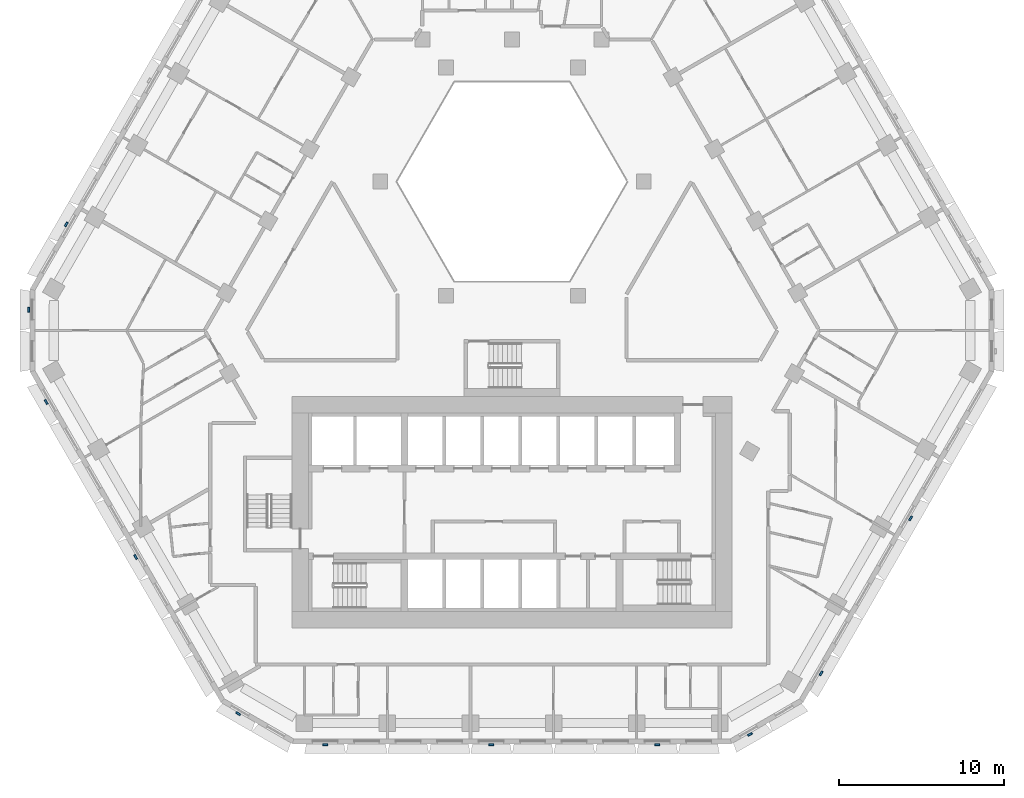
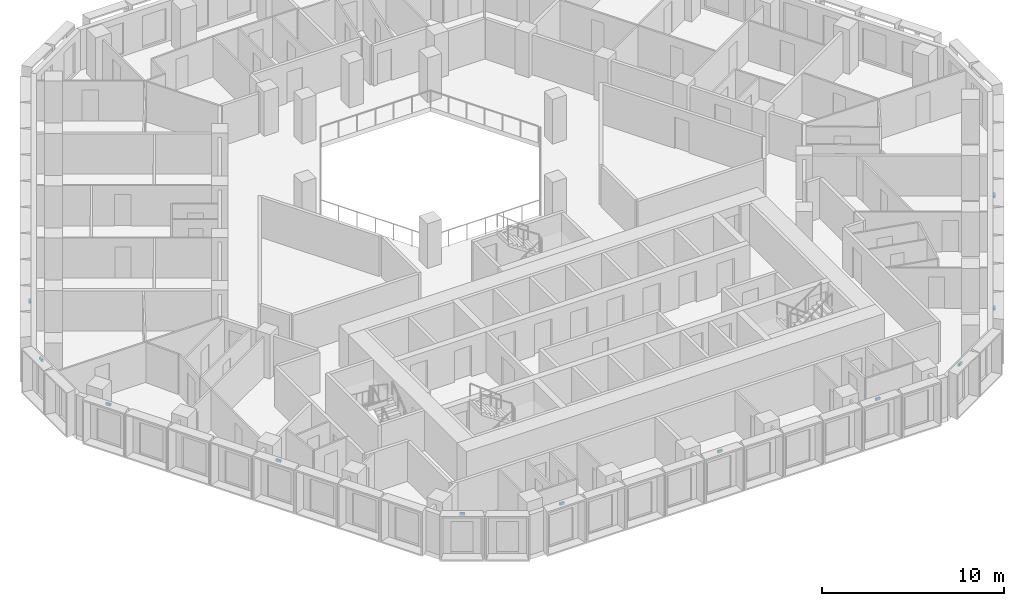
# One storey, part 11 of 18: 11 discrete accessories.
"""IFC4 building model written with IfcOpenShell, lengths in metres."""

from ifc_helpers import new_model, si_unit, direction, frame, origin, place, context, subcontext, project, spatial, polyline, outline, extrude, source, transform, mapped, material, type_object, type_shapes, element, save


model = new_model("IFC4")

# Units and contexts
model_context = context("Model", 3, precision=1e-05, world=origin(), true_north=direction((0.0, 1.0)))
body_context = subcontext(model_context, "Body", "Model", "MODEL_VIEW")
ifc_project = project(units=[si_unit("LENGTHUNIT", "METRE"), si_unit("AREAUNIT", "SQUARE_METRE"), si_unit("VOLUMEUNIT", "CUBIC_METRE"), si_unit("PLANEANGLEUNIT", "RADIAN"), si_unit("MASSUNIT", "GRAM", prefix="KILO")], contexts=[model_context])

# Site, building, storey
site_placement = place(None, origin())
site = spatial("IfcSite", under=ifc_project, at=site_placement, CompositionType="ELEMENT")
building_placement = place(site_placement, origin())
building = spatial("IfcBuilding", under=site, at=building_placement, Name="Beryl Residences", CompositionType="ELEMENT")
storey_placement = place(building_placement, frame((0.0, 0.0, 81.0)))
storey = spatial("IfcBuildingStorey", under=building, at=storey_placement, Name="L24", CompositionType="ELEMENT", Elevation=81.0)

# Discrete accessories
ifc_material = material(Name="Steel S355", Category="steel")
discrete_accessory_type = type_object("IfcDiscreteAccessoryType", Name="BR1 frame bracket 300 x 120 x 150 mm", PredefinedType="BRACKET", material=ifc_material)
shared_shape = source(origin(), body_context, "Body", "SweptSolid", [
    extrude(outline(polyline([(-0.14990234375, 0.0), (0.14990234375, 0.0), (0.14990234375, 0.1201171875), (-0.14990234375, 0.1201171875), (-0.14990234375, 0.0)])), origin(), (0.0, 0.0, 1.0), 0.14990234375),
])
type_shapes(discrete_accessory_type, [shared_shape])
for number, where, z_axis, x_axis, name in (
    (1, (-26.912109375, 5.387939453125, 2.75), (0.0, 0.0, 1.0), (0.5, 0.866025403784, 0.0), "BR1 bracket L24 NW 9"),
    (2, (-29.156982421875, 0.25, 2.75), (0.0, 0.0, 1.0), (0.0, 1.0, 0.0), "BR1 bracket L24 NW-SW 1"),
    (3, (-28.118896484375, -5.2958984375, 2.75), (0.0, 0.0, 1.0), (-0.5, 0.866025403784, 0.0), "BR1 bracket L24 SW 1"),
    (4, (-22.7060546875, -14.672119140625, 2.75), (0.0, 0.0, 1.0), (-0.5, 0.866025403784, 0.0), "BR1 bracket L24 SW 5"),
    (5, (-16.527099609375, -24.125, 2.75), (0.0, 0.0, 1.0), (-0.866025403784, 0.5, 0.0), "BR1 bracket L24 SW-S 1"),
    (6, (-11.301025390625, -26.0, 2.75), (0.0, 0.0, 1.0), (-1.0, 0.0, 0.0), "BR1 bracket L24 S 1"),
    (7, (-1.2548828125, -26.0, 2.75), (0.0, 0.0, 1.0), (-1.0, 0.0, 0.0), "BR1 bracket L24 S 5"),
    (8, (8.791015625, -26.0, 2.75), (0.0, 0.0, 1.0), (-1.0, 0.0, 0.0), "BR1 bracket L24 S 9"),
    (9, (14.361083984375, -25.375, 2.75), (0.0, 0.0, 1.0), (-0.866025403784, -0.5, 0.0), "BR1 bracket L24 S-SE 1"),
    (10, (18.64697265625, -21.7041015625, 2.75), (0.0, 0.0, 1.0), (-0.5, -0.866025403784, 0.0), "BR1 bracket L24 SE 1"),
    (11, (24.06005859375, -12.327880859375, 2.75), (0.0, 0.0, 1.0), (-0.5, -0.866025403784, 0.0), "BR1 bracket L24 SE 5"),
):
    element("IfcDiscreteAccessory", number, at=place(storey_placement, frame(where, z_axis=z_axis, x_axis=x_axis)), inside=storey, type_object=discrete_accessory_type, Name=name, PredefinedType="BRACKET", context=body_context, shape_type="MappedRepresentation", body=[
        mapped(shared_shape, transform((0.0, 0.0, 0.0))),
    ])

save(model, "model.ifc")
